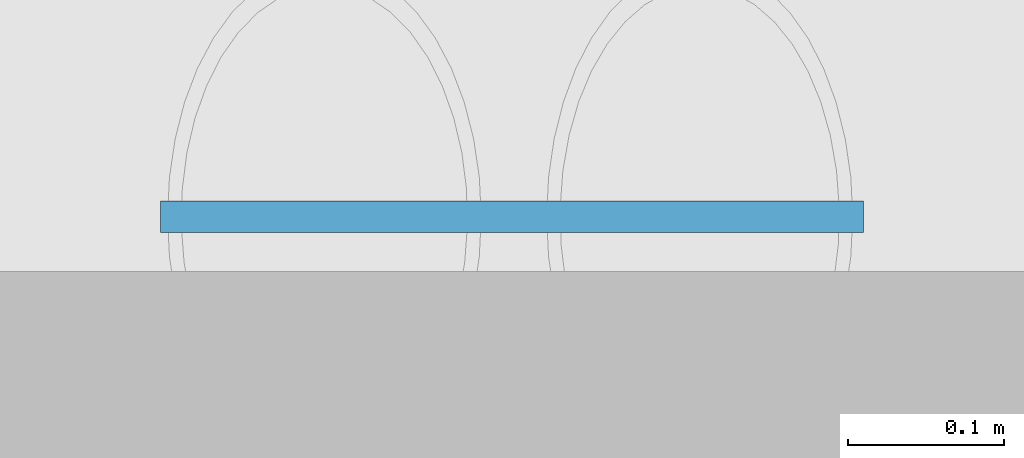
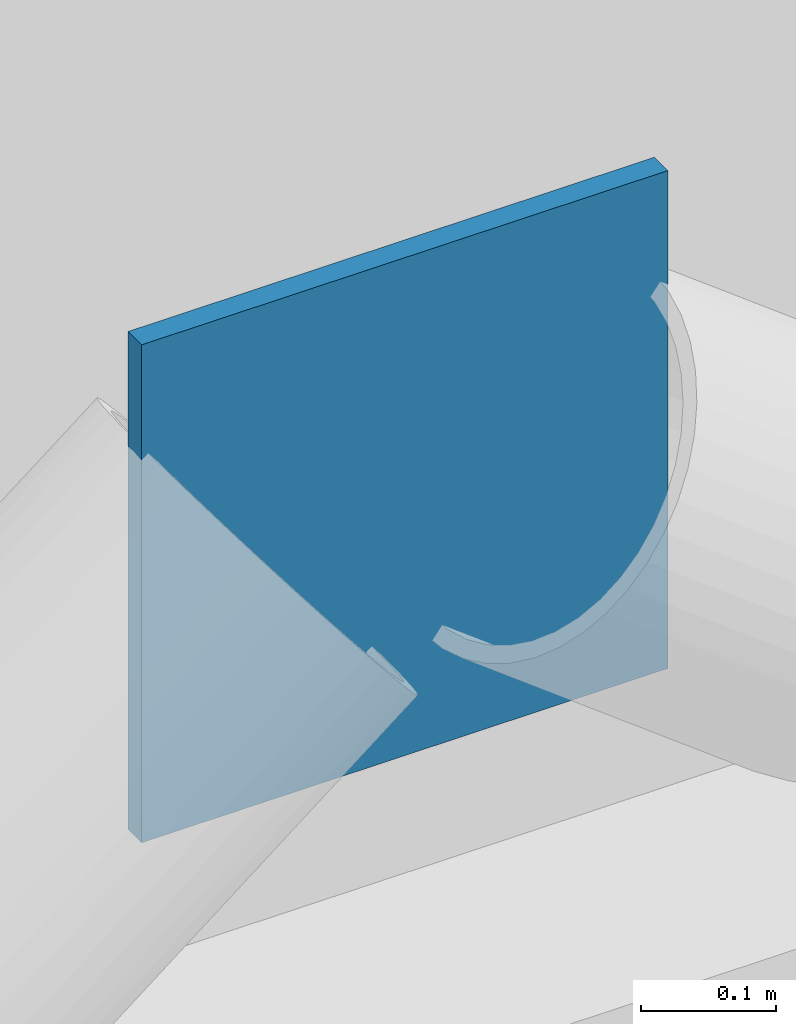
# One storey, part 69 of 92: 1 plate.
"""IFC4 building model written with IfcOpenShell, lengths in metres."""

from ifc_helpers import new_model, si_unit, direction, frame, origin, origin_2d, place, context, subcontext, project, spatial, rectangle, extrude, material, layer, layer_set, type_object, element, save


model = new_model("IFC4")

# Units and contexts
model_context = context("Model", 3, precision=1e-05, world=origin(), true_north=direction((0.0, 1.0)))
body_context = subcontext(model_context, "Body", "Model", "MODEL_VIEW")
ifc_project = project(units=[si_unit("LENGTHUNIT", "METRE"), si_unit("AREAUNIT", "SQUARE_METRE"), si_unit("VOLUMEUNIT", "CUBIC_METRE"), si_unit("PLANEANGLEUNIT", "RADIAN"), si_unit("MASSUNIT", "GRAM", prefix="KILO")], contexts=[model_context])

# Site, building, storey
site_placement = place(None, origin())
site = spatial("IfcSite", under=ifc_project, at=site_placement, CompositionType="ELEMENT")
building_placement = place(site_placement, origin())
building = spatial("IfcBuilding", under=site, at=building_placement, Name="Tasgan Crest Museum", CompositionType="ELEMENT")
storey_placement = place(building_placement, frame((0.0, 0.0, 4.800048828125)))
storey = spatial("IfcBuildingStorey", under=building, at=storey_placement, Name="L01", CompositionType="ELEMENT", Elevation=4.800048828125)

# Plate
ifc_material = material(Name="Steel S355K2", Category="steel")
ifc_layer = layer(ifc_material, 0.02001953125, Name="PL-GUSSET-450")
ifc_layer_set = layer_set([ifc_layer], Name="Steel S355K2")
plate_type = type_object("IfcPlateType", Name="PL-GUSSET-450", PredefinedType="USERDEFINED", material=ifc_layer_set)
plate_placement = place(storey_placement, frame((27.0, 82.0, 4.02490234375), z_axis=(0.0, 0.0, 1.0), x_axis=(1.0, 0.0, 0.0)))
element("IfcPlate", 1, at=plate_placement, inside=storey, type_object=plate_type, Name="Chevron gusset plate L01 J 27.0", ObjectType="GUSSET PLATE", PredefinedType="USERDEFINED", context=body_context, shape_type="SweptSolid", body=[
    extrude(rectangle(XDim=0.449951171875, YDim=0.02001953125, at=origin_2d()), origin(), (0.0, 0.0, 1.0), 0.449951171875),
])

save(model, "model.ifc")
